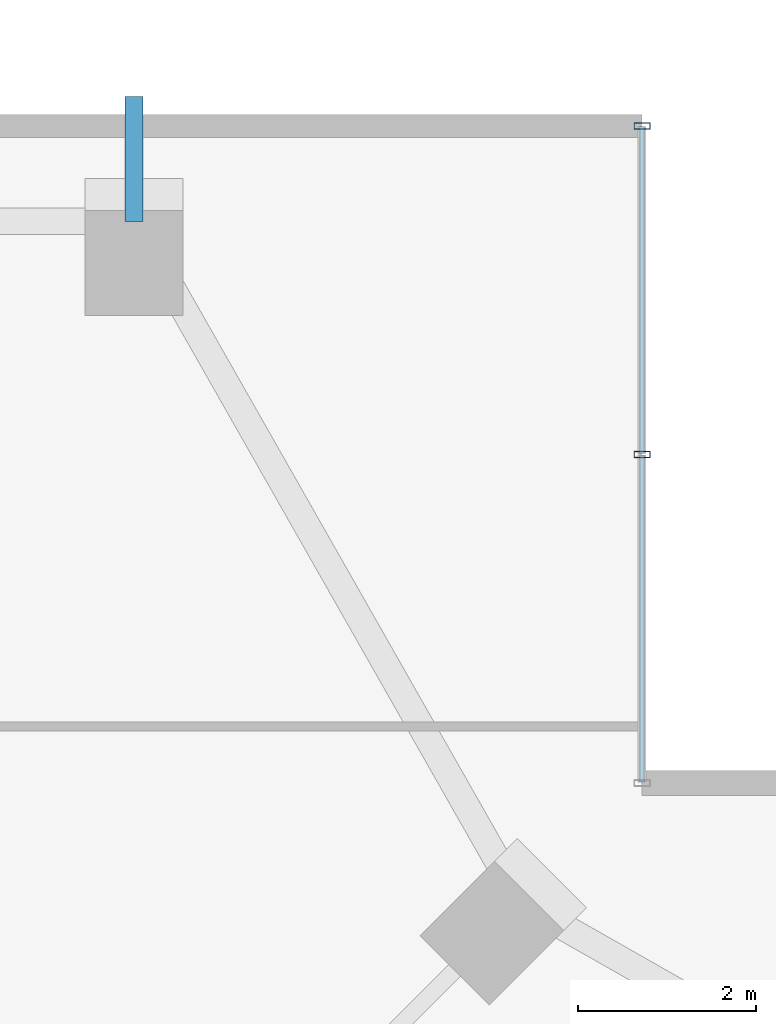
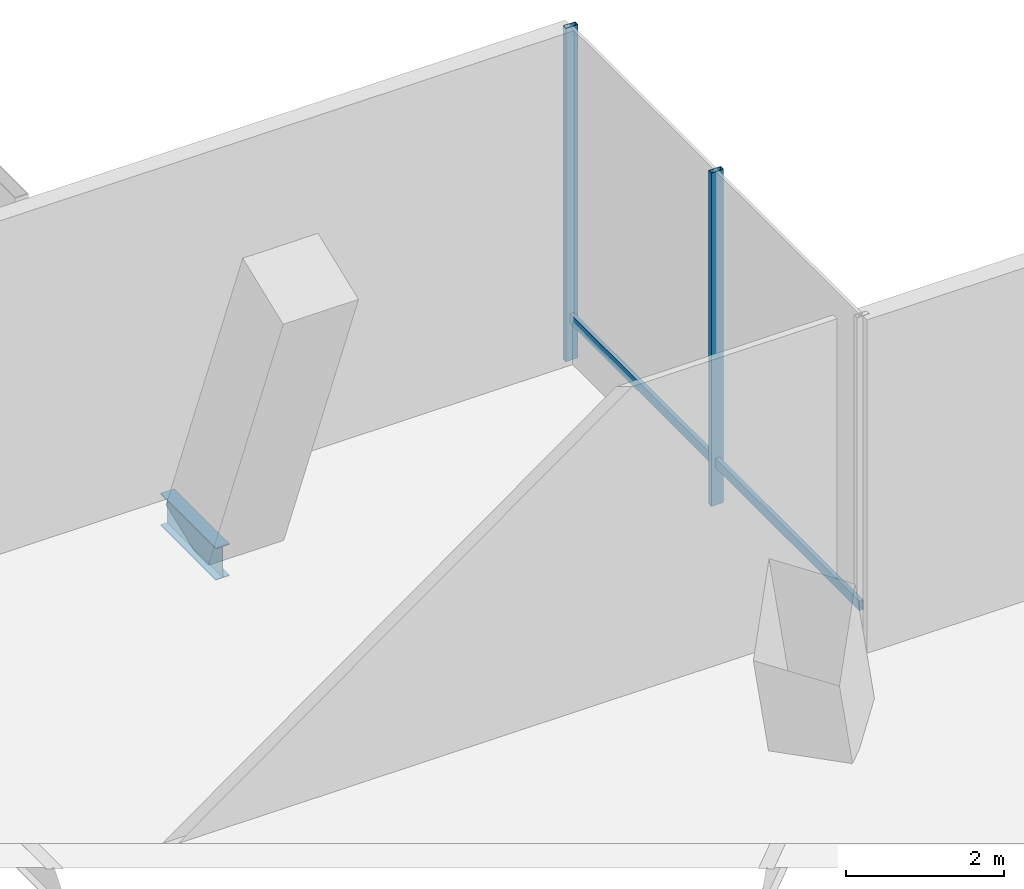
# One storey, part 27 of 33: 4 members, 1 beam, 1 element without a shape of its own.
"""IFC4 building model written with IfcOpenShell, lengths in metres."""

from ifc_helpers import new_model, si_unit, direction, frame, origin, origin_2d, place, context, subcontext, project, spatial, hollow_rectangle, i_section, extrude, material, layer, layer_set, material_profile, profile_set, type_object, element, aggregate, save


model = new_model("IFC4")

# Units and contexts
model_context = context("Model", 3, precision=1e-05, world=origin(), true_north=direction((0.0, 1.0)))
body_context = subcontext(model_context, "Body", "Model", "MODEL_VIEW")
ifc_project = project(units=[si_unit("LENGTHUNIT", "METRE"), si_unit("AREAUNIT", "SQUARE_METRE"), si_unit("VOLUMEUNIT", "CUBIC_METRE"), si_unit("PLANEANGLEUNIT", "RADIAN"), si_unit("MASSUNIT", "GRAM", prefix="KILO")], contexts=[model_context])

# Site, building, storey
site_placement = place(None, origin())
site = spatial("IfcSite", under=ifc_project, at=site_placement, CompositionType="ELEMENT")
building_placement = place(site_placement, origin())
building = spatial("IfcBuilding", under=site, at=building_placement, Name="Belovzor Exchange Tower", CompositionType="ELEMENT")
storey_placement = place(building_placement, frame((0.0, 0.0, 241.199951171875)))
storey = spatial("IfcBuildingStorey", under=building, at=storey_placement, Name="L60", CompositionType="ELEMENT", Elevation=241.199951171875)

# Beam
ifc_material_1 = material(Name="Steel S355", Category="steel")
ifc_material_profile_1 = material_profile(ifc_material_1, i_section(OverallWidth=0.199951171875, OverallDepth=0.5, WebThickness=0.01025390625, FlangeThickness=0.01611328125, at=origin_2d()))
ifc_profile_set_1 = profile_set([ifc_material_profile_1], Name="Steel S355")
beam_type = type_object("IfcBeamType", Name="Planted Balcony Cantilever Beam IPE 500", PredefinedType="BEAM", material=ifc_profile_set_1)
beam_placement = place(storey_placement, frame((42.60009765625, 54.60009765625, -0.5), z_axis=(0.0, 1.0, 0.0), x_axis=(-1.0, 0.0, 0.0)))
element("IfcBeam", 1, at=beam_placement, inside=storey, type_object=beam_type, Name="BC-500 Planted Balcony Cantilever Beam IPE 500", PredefinedType="BEAM", context=body_context, shape_type="SweptSolid", body=[
    extrude(i_section(OverallWidth=0.199951171875, OverallDepth=0.5, WebThickness=0.01025390625, FlangeThickness=0.01611328125, at=origin_2d()), origin(), (0.0, 0.0, 1.0), 1.39990234375),
])

# Curtain wall, members
ifc_material_2 = material(Name="Anodised Aluminium Framing", Category="aluminium")
ifc_layer = layer(ifc_material_2, 0.195068359375)
ifc_layer_set = layer_set([ifc_layer], Name="Anodised Aluminium Framing")
curtain_wall_type = type_object("IfcCurtainWallType", Name="Notched Re-Entrant Corner Unitised Curtain Wall", PredefinedType="NOTDEFINED", material=ifc_layer_set)
curtain_wall_placement = place(storey_placement, origin())
curtain_wall = element("IfcCurtainWall", 2, at=curtain_wall_placement, inside=storey, type_object=curtain_wall_type, Name="CW5 Notched Re-Entrant Corner Unitised Curtain Wall L60", PredefinedType="NOTDEFINED")
ifc_material_3 = material(Name="Steel S355", Category="steel")
ifc_material_profile_2 = material_profile(ifc_material_3, hollow_rectangle(XDim=0.074951171875, YDim=0.179931640625, WallThickness=0.0048828125, at=origin_2d()))
ifc_profile_set_2 = profile_set([ifc_material_profile_2], Name="Steel S355")
member_type_1 = type_object("IfcMemberType", Name="Thermally Broken Curtain Wall Mullion 180x75", PredefinedType="MULLION", material=ifc_profile_set_2)
member_1_placement = place(storey_placement, frame((48.300048828125, 55.669921875, 0.0), z_axis=(0.0, 0.0, 1.0), x_axis=(0.0, -1.0, 0.0)))
member_1 = element("IfcMember", 3, at=member_1_placement, type_object=member_type_1, Name="CW-M180 Curtain Wall Mullion 1", PredefinedType="MULLION", context=body_context, shape_type="SweptSolid", body=[
    extrude(hollow_rectangle(XDim=0.074951171875, YDim=0.179931640625, WallThickness=0.0048828125, at=origin_2d()), origin(), (0.0, 0.0, 1.0), 5.150146484375),
])
member_2_placement = place(storey_placement, frame((48.300048828125, 51.985107421875, 0.0), z_axis=(0.0, 0.0, 1.0), x_axis=(0.0, -1.0, 0.0)))
member_2 = element("IfcMember", 4, at=member_2_placement, type_object=member_type_1, Name="CW-M180 Curtain Wall Mullion 2", PredefinedType="MULLION", context=body_context, shape_type="SweptSolid", body=[
    extrude(hollow_rectangle(XDim=0.074951171875, YDim=0.179931640625, WallThickness=0.0048828125, at=origin_2d()), origin(), (0.0, 0.0, 1.0), 5.150146484375),
])
ifc_material_4 = material(Name="Steel S355", Category="steel")
ifc_material_profile_3 = material_profile(ifc_material_4, hollow_rectangle(XDim=0.06005859375, YDim=0.14990234375, WallThickness=0.00390625, at=origin_2d()))
ifc_profile_set_3 = profile_set([ifc_material_profile_3], Name="Steel S355")
member_type_2 = type_object("IfcMemberType", Name="Thermally Broken Curtain Wall Transom 150x60", PredefinedType="USERDEFINED", material=ifc_profile_set_3)
member_3_placement = place(storey_placement, frame((48.300048828125, 55.662109375, 0.650146484375), z_axis=(0.0, -1.0, 0.0), x_axis=(1.0, 0.0, 0.0)))
member_3 = element("IfcMember", 5, at=member_3_placement, type_object=member_type_2, Name="CW-T150 Curtain Wall Transom 1", ObjectType="TRANSOM", PredefinedType="USERDEFINED", context=body_context, shape_type="SweptSolid", body=[
    extrude(hollow_rectangle(XDim=0.06005859375, YDim=0.14990234375, WallThickness=0.00390625, at=origin_2d()), origin(), (0.0, 0.0, 1.0), 3.669189453125),
])
member_4_placement = place(storey_placement, frame((48.300048828125, 51.97705078125, 0.650146484375), z_axis=(0.0, -1.0, 0.0), x_axis=(1.0, 0.0, 0.0)))
member_4 = element("IfcMember", 6, at=member_4_placement, type_object=member_type_2, Name="CW-T150 Curtain Wall Transom 2", ObjectType="TRANSOM", PredefinedType="USERDEFINED", context=body_context, shape_type="SweptSolid", body=[
    extrude(hollow_rectangle(XDim=0.06005859375, YDim=0.14990234375, WallThickness=0.00390625, at=origin_2d()), origin(), (0.0, 0.0, 1.0), 3.6689453125),
])
aggregate(curtain_wall, [member_1, member_2, member_3, member_4])

save(model, "model.ifc")
